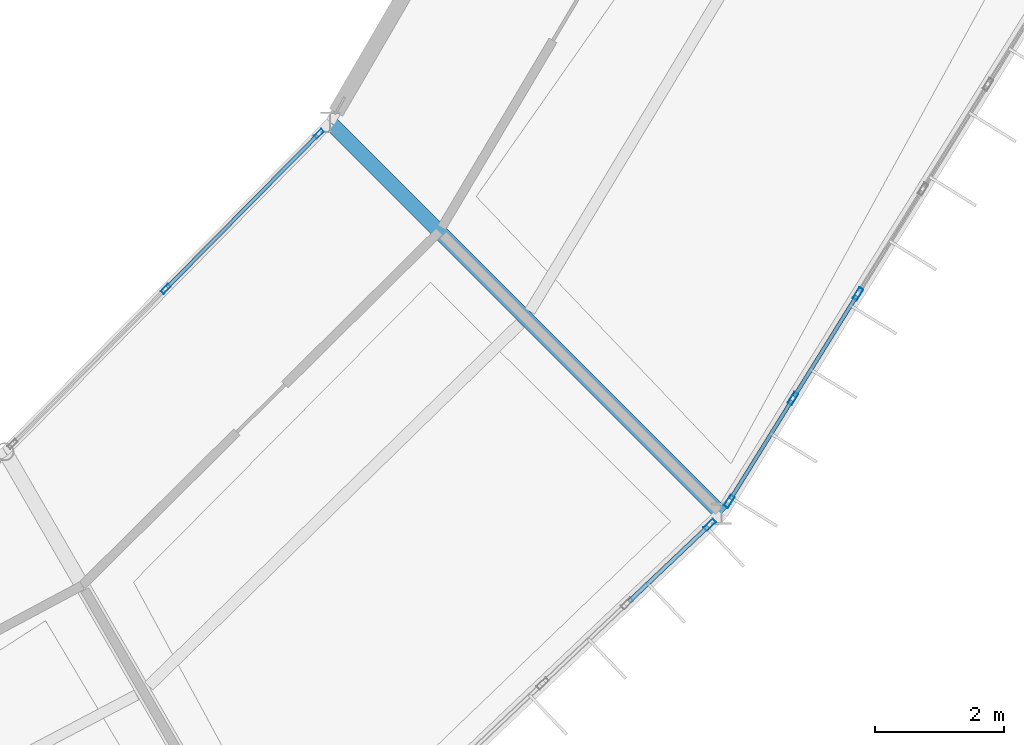
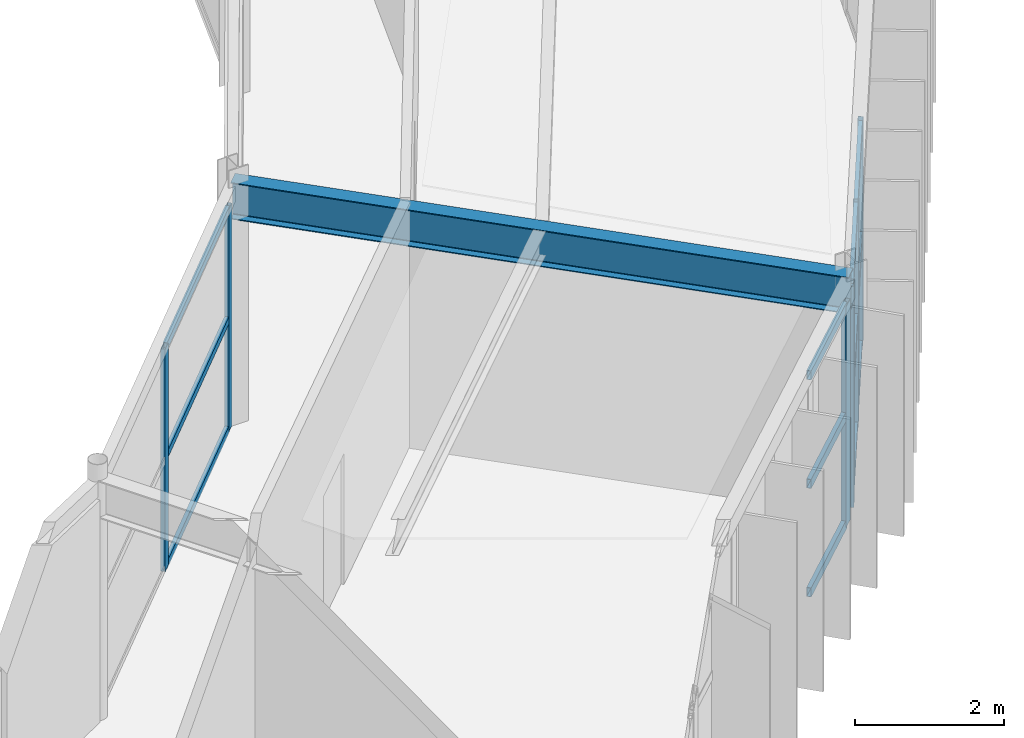
# One storey, part 52 of 147: 18 members, 1 beam, 3 elements without a shape of their own.
"""IFC4 building model written with IfcOpenShell, lengths in metres."""

from ifc_helpers import new_model, si_unit, direction, frame, origin, origin_2d, place, context, subcontext, project, spatial, hollow_rectangle, i_section, extrude, material, material_profile, profile_set, type_object, element, aggregate, save


model = new_model("IFC4")

# Units and contexts
model_context = context("Model", 3, precision=1e-05, world=origin(), true_north=direction((0.0, 1.0)))
body_context = subcontext(model_context, "Body", "Model", "MODEL_VIEW")
ifc_project = project(units=[si_unit("LENGTHUNIT", "METRE"), si_unit("AREAUNIT", "SQUARE_METRE"), si_unit("VOLUMEUNIT", "CUBIC_METRE"), si_unit("PLANEANGLEUNIT", "RADIAN"), si_unit("MASSUNIT", "GRAM", prefix="KILO")], contexts=[model_context])

# Site, building, storey
site_placement = place(None, origin())
site = spatial("IfcSite", under=ifc_project, at=site_placement, CompositionType="ELEMENT")
building_placement = place(site_placement, origin())
building = spatial("IfcBuilding", under=site, at=building_placement, Name="Karori Crest Natural Sciences Institute", CompositionType="ELEMENT")
storey_placement = place(building_placement, frame((0.0, 0.0, 9.10009765625)))
storey = spatial("IfcBuildingStorey", under=building, at=storey_placement, Name="L02", CompositionType="ELEMENT", Elevation=9.10009765625)

# Beam
ifc_material_1 = material(Name="Structural steel AS/NZS 3679.1 Grade 350", Category="steel")
ifc_material_profile_1 = material_profile(ifc_material_1, i_section(OverallWidth=0.22802734375, OverallDepth=0.60205078125, WebThickness=0.010498046875, FlangeThickness=0.014892578125, FilletRadius=0.013916015625, at=origin_2d()), Name="610UB101")
ifc_profile_set_1 = profile_set([ifc_material_profile_1], Name="Structural steel AS/NZS 3679.1 Grade 350")
beam_type = type_object("IfcBeamType", Name="BT-27", PredefinedType="BEAM", material=ifc_profile_set_1)
beam_placement = place(storey_placement, frame((83.6533203125, 27.131103515625, 3.638916015625), z_axis=(0.70712097513, -0.707092586958, 0.0), x_axis=(0.707092586958, 0.70712097513, 0.0)))
element("IfcBeam", 1, at=beam_placement, inside=storey, type_object=beam_type, Name="Beam B-0352", PredefinedType="BEAM", context=body_context, shape_type="SweptSolid", body=[
    extrude(i_section(OverallWidth=0.22802734375, OverallDepth=0.60205078125, WebThickness=0.010498046875, FlangeThickness=0.014892578125, FilletRadius=0.013916015625, at=origin_2d()), origin(), (0.0, 0.0, 1.0), 8.60009765625),
])

# Curtain wall, members
ifc_material_2 = material(Name="Anodised architectural aluminium 6063-T6", Category="aluminium")
curtain_wall_type_1 = type_object("IfcCurtainWallType", Name="CWT-11", PredefinedType="NOTDEFINED", material=ifc_material_2)
curtain_wall_1_placement = place(storey_placement, origin())
curtain_wall_1 = element("IfcCurtainWall", 2, at=curtain_wall_1_placement, inside=storey, type_object=curtain_wall_type_1, Name="Curtain wall CW-0095", PredefinedType="NOTDEFINED")
ifc_material_profile_2 = material_profile(ifc_material_2, hollow_rectangle(XDim=0.06494140625, YDim=0.159912109375, WallThickness=0.00390625, at=origin_2d()), Name="CWM160x65x4")
ifc_profile_set_2 = profile_set([ifc_material_profile_2], Name="Anodised architectural aluminium 6063-T6")
member_type_1 = type_object("IfcMemberType", Name="CWM-01", PredefinedType="MULLION", material=ifc_profile_set_2)
member_1_placement = place(storey_placement, frame((81.097900390625, 24.54345703125, 0.0), z_axis=(0.0, 0.0, 1.0), x_axis=(-0.71152941525, 0.70265631089, 0.0)))
member_1 = element("IfcMember", 3, at=member_1_placement, type_object=member_type_1, Name="CW-0095 mullion 2", PredefinedType="MULLION", context=body_context, shape_type="SweptSolid", body=[
    extrude(hollow_rectangle(XDim=0.06494140625, YDim=0.159912109375, WallThickness=0.00390625, at=origin_2d()), origin(), (0.0, 0.0, 1.0), 3.64990234375),
])
member_2_placement = place(storey_placement, frame((83.478515625, 26.9541015625, 0.0), z_axis=(0.0, 0.0, 1.0), x_axis=(-0.71152941525, 0.70265631089, 0.0)))
member_2 = element("IfcMember", 4, at=member_2_placement, type_object=member_type_1, Name="CW-0095 mullion 3", PredefinedType="MULLION", context=body_context, shape_type="SweptSolid", body=[
    extrude(hollow_rectangle(XDim=0.06494140625, YDim=0.159912109375, WallThickness=0.00390625, at=origin_2d()), origin(), (0.0, 0.0, 1.0), 3.64990234375),
])

# Curtain wall, member
curtain_wall_type_2 = type_object("IfcCurtainWallType", Name="CWT-01", PredefinedType="NOTDEFINED", material=ifc_material_2)
curtain_wall_2_placement = place(storey_placement, origin())
curtain_wall_2 = element("IfcCurtainWall", 5, at=curtain_wall_2_placement, inside=storey, type_object=curtain_wall_type_2, Name="Curtain wall CW-0094", PredefinedType="NOTDEFINED")
ifc_material_profile_3 = material_profile(ifc_material_2, hollow_rectangle(XDim=0.074951171875, YDim=0.199951171875, WallThickness=0.0048828125, at=origin_2d()), Name="CWM200x75x5")
ifc_profile_set_3 = profile_set([ifc_material_profile_3], Name="Anodised architectural aluminium 6063-T6")
member_type_2 = type_object("IfcMemberType", Name="CWM-02", PredefinedType="MULLION", material=ifc_profile_set_3)
member_3_placement = place(storey_placement, frame((89.55322265625, 20.878173828125, 0.0), z_axis=(0.0, 0.0, 1.0), x_axis=(0.688250886925, -0.725472753897, 0.0)))
member_3 = element("IfcMember", 6, at=member_3_placement, type_object=member_type_2, Name="CW-0094 mullion 1", PredefinedType="MULLION", context=body_context, shape_type="SweptSolid", body=[
    extrude(hollow_rectangle(XDim=0.074951171875, YDim=0.199951171875, WallThickness=0.0048828125, at=origin_2d()), origin(), (0.0, 0.0, 1.0), 3.625),
])

# Curtain wall, members
curtain_wall_type_3 = type_object("IfcCurtainWallType", Name="CWT-02", PredefinedType="NOTDEFINED", material=ifc_material_2)
curtain_wall_3_placement = place(storey_placement, origin())
curtain_wall_3 = element("IfcCurtainWall", 7, at=curtain_wall_3_placement, inside=storey, type_object=curtain_wall_type_3, Name="Curtain wall CW-0096", PredefinedType="NOTDEFINED")
member_4_placement = place(storey_placement, frame((91.85546875, 24.46728515625, 0.0), z_axis=(0.0, 0.0, 1.0), x_axis=(0.849662102168, -0.527327518853, 0.0)))
member_4 = element("IfcMember", 8, at=member_4_placement, type_object=member_type_2, Name="CW-0096 mullion 4", PredefinedType="MULLION", context=body_context, shape_type="SweptSolid", body=[
    extrude(hollow_rectangle(XDim=0.074951171875, YDim=0.199951171875, WallThickness=0.0048828125, at=origin_2d()), origin(), (0.0, 0.0, 1.0), 3.625),
])
member_5_placement = place(storey_placement, frame((90.84521484375, 22.839599609375, 0.0), z_axis=(0.0, 0.0, 1.0), x_axis=(0.849662102168, -0.527327518853, 0.0)))
member_5 = element("IfcMember", 9, at=member_5_placement, type_object=member_type_2, Name="CW-0096 mullion 5", PredefinedType="MULLION", context=body_context, shape_type="SweptSolid", body=[
    extrude(hollow_rectangle(XDim=0.074951171875, YDim=0.199951171875, WallThickness=0.0048828125, at=origin_2d()), origin(), (0.0, 0.0, 1.0), 3.625),
])
member_6_placement = place(storey_placement, frame((89.854736328125, 21.24365234375, 0.0), z_axis=(0.0, 0.0, 1.0), x_axis=(0.849662102168, -0.527327518853, 0.0)))
member_6 = element("IfcMember", 10, at=member_6_placement, type_object=member_type_2, Name="CW-0096 mullion 6", PredefinedType="MULLION", context=body_context, shape_type="SweptSolid", body=[
    extrude(hollow_rectangle(XDim=0.074951171875, YDim=0.199951171875, WallThickness=0.0048828125, at=origin_2d()), origin(), (0.0, 0.0, 1.0), 3.625),
])

# Member
ifc_material_profile_4 = material_profile(ifc_material_2, hollow_rectangle(XDim=0.06005859375, YDim=0.1201171875, WallThickness=0.00390625, at=origin_2d()), Name="CWT120x60x4")
ifc_profile_set_4 = profile_set([ifc_material_profile_4], Name="Anodised architectural aluminium 6063-T6")
member_type_3 = type_object("IfcMemberType", Name="CWT-TR1", PredefinedType="USERDEFINED", material=ifc_profile_set_4)
member_7_placement = place(storey_placement, frame((81.120849609375, 24.566650390625, 0.02978515625), z_axis=(0.702647532142, 0.711538084416, 0.0), x_axis=(-0.711538084416, 0.702647532142, 0.0)))
member_7 = element("IfcMember", 11, at=member_7_placement, type_object=member_type_3, Name="CW-0095 transom 2.1", ObjectType="TRANSOM", PredefinedType="USERDEFINED", context=body_context, shape_type="SweptSolid", body=[
    extrude(hollow_rectangle(XDim=0.06005859375, YDim=0.1201171875, WallThickness=0.00390625, at=origin_2d()), origin(), (0.0, 0.0, 1.0), 3.32275390625),
])

member_8_placement = place(storey_placement, frame((81.120849609375, 24.566650390625, 1.824951171875), z_axis=(0.702647532142, 0.711538084416, 0.0), x_axis=(-0.711538084416, 0.702647532142, 0.0)))
member_8 = element("IfcMember", 12, at=member_8_placement, type_object=member_type_3, Name="CW-0095 transom 2.2", ObjectType="TRANSOM", PredefinedType="USERDEFINED", context=body_context, shape_type="SweptSolid", body=[
    extrude(hollow_rectangle(XDim=0.06005859375, YDim=0.1201171875, WallThickness=0.00390625, at=origin_2d()), origin(), (0.0, 0.0, 1.0), 3.32275390625),
])

member_9_placement = place(storey_placement, frame((81.120849609375, 24.566650390625, 3.619873046875), z_axis=(0.702647532142, 0.711538084416, 0.0), x_axis=(-0.711538084416, 0.702647532142, 0.0)))
member_9 = element("IfcMember", 13, at=member_9_placement, type_object=member_type_3, Name="CW-0095 transom 2.3", ObjectType="TRANSOM", PredefinedType="USERDEFINED", context=body_context, shape_type="SweptSolid", body=[
    extrude(hollow_rectangle(XDim=0.06005859375, YDim=0.1201171875, WallThickness=0.00390625, at=origin_2d()), origin(), (0.0, 0.0, 1.0), 3.32275390625),
])

aggregate(curtain_wall_1, [member_1, member_2, member_7, member_8, member_9])

member_10_placement = place(storey_placement, frame((91.835693359375, 24.435546875, 0.02978515625), z_axis=(-0.527290232852, -0.849685241922, 0.0), x_axis=(0.849685241922, -0.527290232852, 0.0)))
member_10 = element("IfcMember", 14, at=member_10_placement, type_object=member_type_3, Name="CW-0096 transom 4.1", ObjectType="TRANSOM", PredefinedType="USERDEFINED", context=body_context, shape_type="SweptSolid", body=[
    extrude(hollow_rectangle(XDim=0.06005859375, YDim=0.1201171875, WallThickness=0.00390625, at=origin_2d()), origin(), (0.0, 0.0, 1.0), 1.8408203125),
])

member_11_placement = place(storey_placement, frame((91.835693359375, 24.435546875, 1.8125), z_axis=(-0.527290232852, -0.849685241922, 0.0), x_axis=(0.849685241922, -0.527290232852, 0.0)))
member_11 = element("IfcMember", 15, at=member_11_placement, type_object=member_type_3, Name="CW-0096 transom 4.2", ObjectType="TRANSOM", PredefinedType="USERDEFINED", context=body_context, shape_type="SweptSolid", body=[
    extrude(hollow_rectangle(XDim=0.06005859375, YDim=0.1201171875, WallThickness=0.00390625, at=origin_2d()), origin(), (0.0, 0.0, 1.0), 1.8408203125),
])

member_12_placement = place(storey_placement, frame((91.835693359375, 24.435546875, 3.594970703125), z_axis=(-0.527290232852, -0.849685241922, 0.0), x_axis=(0.849685241922, -0.527290232852, 0.0)))
member_12 = element("IfcMember", 16, at=member_12_placement, type_object=member_type_3, Name="CW-0096 transom 4.3", ObjectType="TRANSOM", PredefinedType="USERDEFINED", context=body_context, shape_type="SweptSolid", body=[
    extrude(hollow_rectangle(XDim=0.06005859375, YDim=0.1201171875, WallThickness=0.00390625, at=origin_2d()), origin(), (0.0, 0.0, 1.0), 1.8408203125),
])

member_13_placement = place(storey_placement, frame((90.825439453125, 22.8076171875, 0.02978515625), z_axis=(-0.52737971393, -0.84962970601, 0.0), x_axis=(0.84962970601, -0.52737971393, 0.0)))
member_13 = element("IfcMember", 17, at=member_13_placement, type_object=member_type_3, Name="CW-0096 transom 5.1", ObjectType="TRANSOM", PredefinedType="USERDEFINED", context=body_context, shape_type="SweptSolid", body=[
    extrude(hollow_rectangle(XDim=0.06005859375, YDim=0.1201171875, WallThickness=0.00390625, at=origin_2d()), origin(), (0.0, 0.0, 1.0), 1.80322265625),
])

member_14_placement = place(storey_placement, frame((90.825439453125, 22.8076171875, 1.8125), z_axis=(-0.52737971393, -0.84962970601, 0.0), x_axis=(0.84962970601, -0.52737971393, 0.0)))
member_14 = element("IfcMember", 18, at=member_14_placement, type_object=member_type_3, Name="CW-0096 transom 5.2", ObjectType="TRANSOM", PredefinedType="USERDEFINED", context=body_context, shape_type="SweptSolid", body=[
    extrude(hollow_rectangle(XDim=0.06005859375, YDim=0.1201171875, WallThickness=0.00390625, at=origin_2d()), origin(), (0.0, 0.0, 1.0), 1.80322265625),
])

member_15_placement = place(storey_placement, frame((90.825439453125, 22.8076171875, 3.594970703125), z_axis=(-0.52737971393, -0.84962970601, 0.0), x_axis=(0.84962970601, -0.52737971393, 0.0)))
member_15 = element("IfcMember", 19, at=member_15_placement, type_object=member_type_3, Name="CW-0096 transom 5.3", ObjectType="TRANSOM", PredefinedType="USERDEFINED", context=body_context, shape_type="SweptSolid", body=[
    extrude(hollow_rectangle(XDim=0.06005859375, YDim=0.1201171875, WallThickness=0.00390625, at=origin_2d()), origin(), (0.0, 0.0, 1.0), 1.80322265625),
])

aggregate(curtain_wall_3, [member_4, member_5, member_6, member_10, member_11, member_12, member_13, member_14, member_15])

ifc_material_profile_5 = material_profile(ifc_material_2, hollow_rectangle(XDim=0.06494140625, YDim=0.14990234375, WallThickness=0.00390625, at=origin_2d()), Name="CWT150x65x4")
ifc_profile_set_5 = profile_set([ifc_material_profile_5], Name="Anodised architectural aluminium 6063-T6")
member_type_4 = type_object("IfcMemberType", Name="CWT-TR2", PredefinedType="USERDEFINED", material=ifc_profile_set_5)
member_16_placement = place(storey_placement, frame((89.526123046875, 20.852294921875, 0.032470703125), z_axis=(-0.725419497715, -0.68830701895, 0.0), x_axis=(0.68830701895, -0.725419497715, 0.0)))
member_16 = element("IfcMember", 20, at=member_16_placement, type_object=member_type_4, Name="CW-0094 transom 1.1", ObjectType="TRANSOM", PredefinedType="USERDEFINED", context=body_context, shape_type="SweptSolid", body=[
    extrude(hollow_rectangle(XDim=0.06494140625, YDim=0.14990234375, WallThickness=0.00390625, at=origin_2d()), origin(), (0.0, 0.0, 1.0), 1.697265625),
])

member_17_placement = place(storey_placement, frame((89.526123046875, 20.852294921875, 1.8125), z_axis=(-0.725419497715, -0.68830701895, 0.0), x_axis=(0.68830701895, -0.725419497715, 0.0)))
member_17 = element("IfcMember", 21, at=member_17_placement, type_object=member_type_4, Name="CW-0094 transom 1.2", ObjectType="TRANSOM", PredefinedType="USERDEFINED", context=body_context, shape_type="SweptSolid", body=[
    extrude(hollow_rectangle(XDim=0.06494140625, YDim=0.14990234375, WallThickness=0.00390625, at=origin_2d()), origin(), (0.0, 0.0, 1.0), 1.697265625),
])

member_18_placement = place(storey_placement, frame((89.526123046875, 20.852294921875, 3.59228515625), z_axis=(-0.725419497715, -0.68830701895, 0.0), x_axis=(0.68830701895, -0.725419497715, 0.0)))
member_18 = element("IfcMember", 22, at=member_18_placement, type_object=member_type_4, Name="CW-0094 transom 1.3", ObjectType="TRANSOM", PredefinedType="USERDEFINED", context=body_context, shape_type="SweptSolid", body=[
    extrude(hollow_rectangle(XDim=0.06494140625, YDim=0.14990234375, WallThickness=0.00390625, at=origin_2d()), origin(), (0.0, 0.0, 1.0), 1.697265625),
])

aggregate(curtain_wall_2, [member_3, member_16, member_17, member_18])

save(model, "model.ifc")
